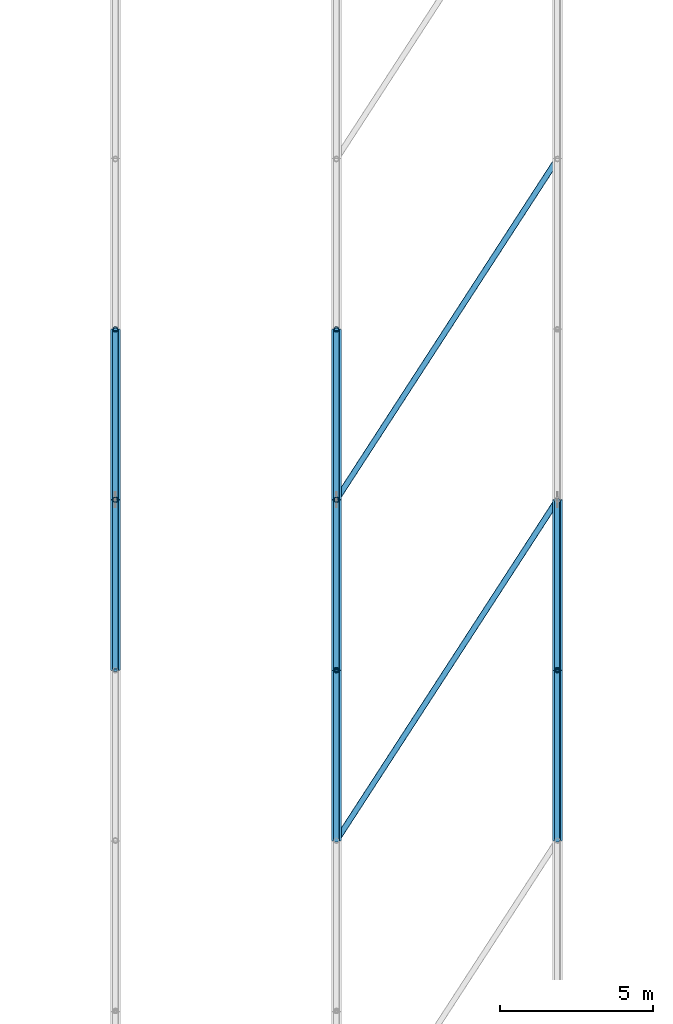
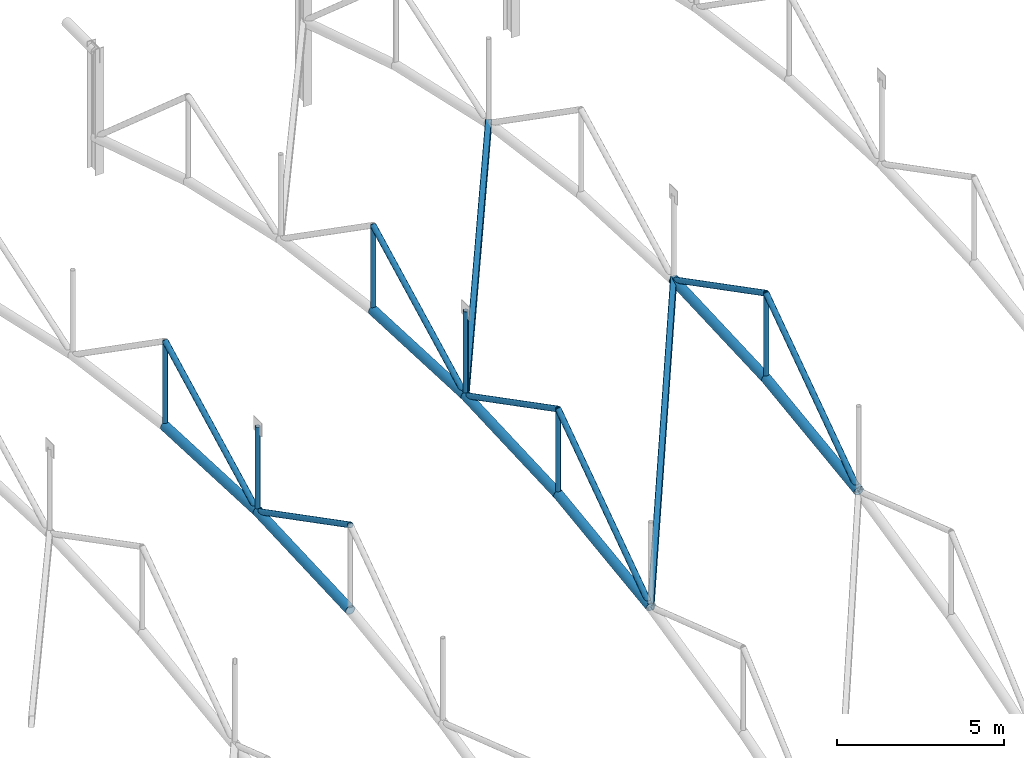
# One storey, part 43 of 153: 22 members.
"""IFC4 building model written with IfcOpenShell, lengths in metres."""

from ifc_helpers import new_model, si_unit, derived_unit, direction, frame, origin, origin_2d, place, context, subcontext, project, spatial, hollow_rectangle, hollow_circle, extrude, material, material_profile, profile_set, type_object, element, save


model = new_model("IFC4")

# Units and contexts
model_context = context("Model", 3, precision=1e-05, world=origin(), true_north=direction((0.0, 1.0)))
body_context = subcontext(model_context, "Body", "Model", "MODEL_VIEW")
ifc_project = project(units=[si_unit("LENGTHUNIT", "METRE"), si_unit("AREAUNIT", "SQUARE_METRE"), si_unit("VOLUMEUNIT", "CUBIC_METRE"), si_unit("PLANEANGLEUNIT", "RADIAN"), si_unit("MASSUNIT", "GRAM", prefix="KILO"), derived_unit("THERMALTRANSMITTANCEUNIT", [(si_unit("POWERUNIT", "WATT"), 1), (si_unit("LENGTHUNIT", "METRE"), -2), (si_unit("THERMODYNAMICTEMPERATUREUNIT", "KELVIN"), -1)])], contexts=[model_context])

# Site, building, storey
site_placement = place(None, origin())
site = spatial("IfcSite", under=ifc_project, at=site_placement, CompositionType="ELEMENT")
building_placement = place(site_placement, origin())
building = spatial("IfcBuilding", under=site, at=building_placement, Name="Keldorne Ridge Multi-Sports Centre", CompositionType="ELEMENT")
storey_placement = place(building_placement, frame((0.0, 0.0, 9.60009765625)))
storey = spatial("IfcBuildingStorey", under=building, at=storey_placement, Name="L02", CompositionType="ELEMENT", Elevation=9.60009765625)

# Members
ifc_material = material(Name="Steel S355", Category="steel")
ifc_material_profile_1 = material_profile(ifc_material, hollow_circle(Radius=0.161865234375, WallThickness=0.01611328125, at=origin_2d()), Name="CHS 323.9x16")
ifc_profile_set_1 = profile_set([ifc_material_profile_1], Name="Steel S355")
member_type_1 = type_object("IfcMemberType", Name="MEM-TC-02", PredefinedType="CHORD", material=ifc_profile_set_1)
for number, where, z_axis, x_axis, name in (
    (1, (42.0, 26.25, 3.25), (0.0, 0.99898703105, 0.044999019918), (-1.0, 0.0, 0.0), "Main Hall ROOF TRUSS AT-06 bottom chord 4"),
    (2, (42.0, 31.800048828125, 3.5), (0.0, 0.99898703105, -0.044999019918), (-1.0, 0.0, 0.0), "Main Hall ROOF TRUSS AT-06 bottom chord 5"),
):
    element("IfcMember", number, at=place(storey_placement, frame(where, z_axis=z_axis, x_axis=x_axis)), inside=storey, type_object=member_type_1, Name=name, PredefinedType="CHORD", context=body_context, shape_type="SweptSolid", body=[
        extrude(hollow_circle(Radius=0.161865234375, WallThickness=0.01611328125, at=origin_2d()), origin(), (0.0, 0.0, 1.0), 5.5556640625),
    ])
member_1_placement = place(storey_placement, frame((49.199951171875, 20.699951171875, 4.219970703125), z_axis=(0.0, 0.990992586768, 0.13391673895), x_axis=(-1.0, 0.0, 0.0)))
element("IfcMember", 3, at=member_1_placement, inside=storey, type_object=member_type_1, Name="Main Hall ROOF TRUSS AT-07 bottom chord 3", PredefinedType="CHORD", context=body_context, shape_type="SweptSolid", body=[
    extrude(hollow_circle(Radius=0.161865234375, WallThickness=0.01611328125, at=origin_2d()), origin(), (0.0, 0.0, 1.0), 5.6005859375),
])
for number, where, z_axis, x_axis, name in (
    (4, (49.199951171875, 26.25, 4.969970703125), (0.0, 0.99898703105, 0.044999019918), (-1.0, 0.0, 0.0), "Main Hall ROOF TRUSS AT-07 bottom chord 4"),
    (5, (49.199951171875, 31.800048828125, 5.219970703125), (0.0, 0.99898703105, -0.044999019918), (-1.0, 0.0, 0.0), "Main Hall ROOF TRUSS AT-07 bottom chord 5"),
):
    element("IfcMember", number, at=place(storey_placement, frame(where, z_axis=z_axis, x_axis=x_axis)), inside=storey, type_object=member_type_1, Name=name, PredefinedType="CHORD", context=body_context, shape_type="SweptSolid", body=[
        extrude(hollow_circle(Radius=0.161865234375, WallThickness=0.01611328125, at=origin_2d()), origin(), (0.0, 0.0, 1.0), 5.5556640625),
    ])
member_2_placement = place(storey_placement, frame((56.39990234375, 20.699951171875, 5.93994140625), z_axis=(0.0, 0.990992586768, 0.13391673895), x_axis=(-1.0, 0.0, 0.0)))
element("IfcMember", 6, at=member_2_placement, inside=storey, type_object=member_type_1, Name="Main Hall ROOF TRUSS AT-08 bottom chord 3", PredefinedType="CHORD", context=body_context, shape_type="SweptSolid", body=[
    extrude(hollow_circle(Radius=0.161865234375, WallThickness=0.01611328125, at=origin_2d()), origin(), (0.0, 0.0, 1.0), 5.6005859375),
])
member_3_placement = place(storey_placement, frame((56.39990234375, 26.25, 6.68994140625), z_axis=(0.0, 0.99898703105, 0.044999019918), x_axis=(-1.0, 0.0, 0.0)))
element("IfcMember", 7, at=member_3_placement, inside=storey, type_object=member_type_1, Name="Main Hall ROOF TRUSS AT-08 bottom chord 4", PredefinedType="CHORD", context=body_context, shape_type="SweptSolid", body=[
    extrude(hollow_circle(Radius=0.161865234375, WallThickness=0.01611328125, at=origin_2d()), origin(), (0.0, 0.0, 1.0), 5.5556640625),
])
ifc_material_profile_2 = material_profile(ifc_material, hollow_circle(Radius=0.096923828125, WallThickness=0.010009765625, at=origin_2d()), Name="CHS 193.7x10")
ifc_profile_set_2 = profile_set([ifc_material_profile_2], Name="Steel S355")
member_type_2 = type_object("IfcMemberType", Name="MEM-TD-01", PredefinedType="BRACE", material=ifc_profile_set_2)
for number, where, z_axis, x_axis, name in (
    (8, (42.0, 26.25, 6.369873046875), (0.0, 0.888272619181, -0.459316616305), (-1.0, 0.0, 0.0), "Main Hall ROOF TRUSS AT-06 diagonal 4"),
    (9, (42.0, 31.800048828125, 3.5), (0.0, 0.888272619181, 0.459316616305), (-1.0, 0.0, 0.0), "Main Hall ROOF TRUSS AT-06 diagonal 5"),
):
    element("IfcMember", number, at=place(storey_placement, frame(where, z_axis=z_axis, x_axis=x_axis)), inside=storey, type_object=member_type_2, Name=name, PredefinedType="BRACE", context=body_context, shape_type="SweptSolid", body=[
        extrude(hollow_circle(Radius=0.096923828125, WallThickness=0.010009765625, at=origin_2d()), origin(), (0.0, 0.0, 1.0), 6.248046875),
    ])
member_4_placement = place(storey_placement, frame((49.199951171875, 20.699951171875, 4.219970703125), z_axis=(0.0, 0.820283254334, 0.571957500746), x_axis=(-1.0, 0.0, 0.0)))
element("IfcMember", 10, at=member_4_placement, inside=storey, type_object=member_type_2, Name="Main Hall ROOF TRUSS AT-07 diagonal 3", PredefinedType="BRACE", context=body_context, shape_type="SweptSolid", body=[
    extrude(hollow_circle(Radius=0.096923828125, WallThickness=0.010009765625, at=origin_2d()), origin(), (0.0, 0.0, 1.0), 6.76611328125),
])
for number, where, z_axis, x_axis, name in (
    (11, (49.199951171875, 26.25, 8.08984375), (0.0, 0.888272619181, -0.459316616305), (-1.0, 0.0, 0.0), "Main Hall ROOF TRUSS AT-07 diagonal 4"),
    (12, (49.199951171875, 31.800048828125, 5.219970703125), (0.0, 0.888272619181, 0.459316616305), (-1.0, 0.0, 0.0), "Main Hall ROOF TRUSS AT-07 diagonal 5"),
):
    element("IfcMember", number, at=place(storey_placement, frame(where, z_axis=z_axis, x_axis=x_axis)), inside=storey, type_object=member_type_2, Name=name, PredefinedType="BRACE", context=body_context, shape_type="SweptSolid", body=[
        extrude(hollow_circle(Radius=0.096923828125, WallThickness=0.010009765625, at=origin_2d()), origin(), (0.0, 0.0, 1.0), 6.248046875),
    ])
member_5_placement = place(storey_placement, frame((56.39990234375, 20.699951171875, 5.93994140625), z_axis=(0.0, 0.820283254334, 0.571957500746), x_axis=(-1.0, 0.0, 0.0)))
element("IfcMember", 13, at=member_5_placement, inside=storey, type_object=member_type_2, Name="Main Hall ROOF TRUSS AT-08 diagonal 3", PredefinedType="BRACE", context=body_context, shape_type="SweptSolid", body=[
    extrude(hollow_circle(Radius=0.096923828125, WallThickness=0.010009765625, at=origin_2d()), origin(), (0.0, 0.0, 1.0), 6.76611328125),
])
member_6_placement = place(storey_placement, frame((56.39990234375, 26.25, 9.809814453125), z_axis=(0.0, 0.888272619181, -0.459316616305), x_axis=(-1.0, 0.0, 0.0)))
element("IfcMember", 14, at=member_6_placement, inside=storey, type_object=member_type_2, Name="Main Hall ROOF TRUSS AT-08 diagonal 4", PredefinedType="BRACE", context=body_context, shape_type="SweptSolid", body=[
    extrude(hollow_circle(Radius=0.096923828125, WallThickness=0.010009765625, at=origin_2d()), origin(), (0.0, 0.0, 1.0), 6.248046875),
])
ifc_material_profile_3 = material_profile(ifc_material, hollow_circle(Radius=0.084228515625, WallThickness=0.010009765625, at=origin_2d()), Name="CHS 168.3x10")
ifc_profile_set_3 = profile_set([ifc_material_profile_3], Name="Steel S355")
member_type_3 = type_object("IfcMemberType", Name="MEM-TV-01", PredefinedType="STRUT", material=ifc_profile_set_3)
for number, where, z_axis, x_axis, name in (
    (15, (42.0, 31.800048828125, 3.5), (0.0, 0.0, 1.0), (1.0, 0.0, 0.0), "Main Hall ROOF TRUSS AT-06 vertical 5"),
    (16, (42.0, 37.35009765625, 3.25), (0.0, 0.0, 1.0), (1.0, 0.0, 0.0), "Main Hall ROOF TRUSS AT-06 vertical 6"),
    (17, (49.199951171875, 26.25, 4.969970703125), (0.0, 0.0, 1.0), (1.0, 0.0, 0.0), "Main Hall ROOF TRUSS AT-07 vertical 4"),
    (18, (49.199951171875, 31.800048828125, 5.219970703125), (0.0, 0.0, 1.0), (1.0, 0.0, 0.0), "Main Hall ROOF TRUSS AT-07 vertical 5"),
    (19, (49.199951171875, 37.35009765625, 4.969970703125), (0.0, 0.0, 1.0), (1.0, 0.0, 0.0), "Main Hall ROOF TRUSS AT-07 vertical 6"),
    (20, (56.39990234375, 26.25, 6.68994140625), (0.0, 0.0, 1.0), (1.0, 0.0, 0.0), "Main Hall ROOF TRUSS AT-08 vertical 4"),
):
    element("IfcMember", number, at=place(storey_placement, frame(where, z_axis=z_axis, x_axis=x_axis)), inside=storey, type_object=member_type_3, Name=name, PredefinedType="STRUT", context=body_context, shape_type="SweptSolid", body=[
        extrude(hollow_circle(Radius=0.084228515625, WallThickness=0.010009765625, at=origin_2d()), origin(), (0.0, 0.0, 1.0), 3.119873046875),
    ])
ifc_material_profile_4 = material_profile(ifc_material, hollow_rectangle(XDim=0.199951171875, YDim=0.300048828125, WallThickness=0.012451171875, InnerFilletRadius=0.012451171875, OuterFilletRadius=0.02490234375, at=origin_2d()), Name="RHS 300x200x12.5")
ifc_profile_set_4 = profile_set([ifc_material_profile_4], Name="Steel S355")
member_type_4 = type_object("IfcMemberType", Name="MEM-WB-01", PredefinedType="BRACE", material=ifc_profile_set_4)
member_7_placement = place(storey_placement, frame((49.199951171875, 20.699951171875, 4.219970703125), z_axis=(0.533037750961, 0.821779335567, 0.201369013715), x_axis=(-0.83896515778, 0.544185137643, 0.0)))
element("IfcMember", 21, at=member_7_placement, inside=storey, type_object=member_type_4, Name="Main Hall wind girder brace 7.3", PredefinedType="BRACE", context=body_context, shape_type="SweptSolid", body=[
    extrude(hollow_rectangle(XDim=0.199951171875, YDim=0.300048828125, WallThickness=0.012451171875, InnerFilletRadius=0.012451171875, OuterFilletRadius=0.02490234375, at=origin_2d()), origin(), (0.0, 0.0, 1.0), 13.50732421875),
])
member_8_placement = place(storey_placement, frame((49.199951171875, 31.800048828125, 5.219970703125), z_axis=(0.543389596634, 0.837720254008, 0.054337117103), x_axis=(-0.838959693152, 0.544193562317, 0.0)))
element("IfcMember", 22, at=member_8_placement, inside=storey, type_object=member_type_4, Name="Main Hall wind girder brace 7.5", PredefinedType="BRACE", context=body_context, shape_type="SweptSolid", body=[
    extrude(hollow_rectangle(XDim=0.199951171875, YDim=0.300048828125, WallThickness=0.012451171875, InnerFilletRadius=0.012451171875, OuterFilletRadius=0.02490234375, at=origin_2d()), origin(), (0.0, 0.0, 1.0), 13.25),
])

save(model, "model.ifc")
